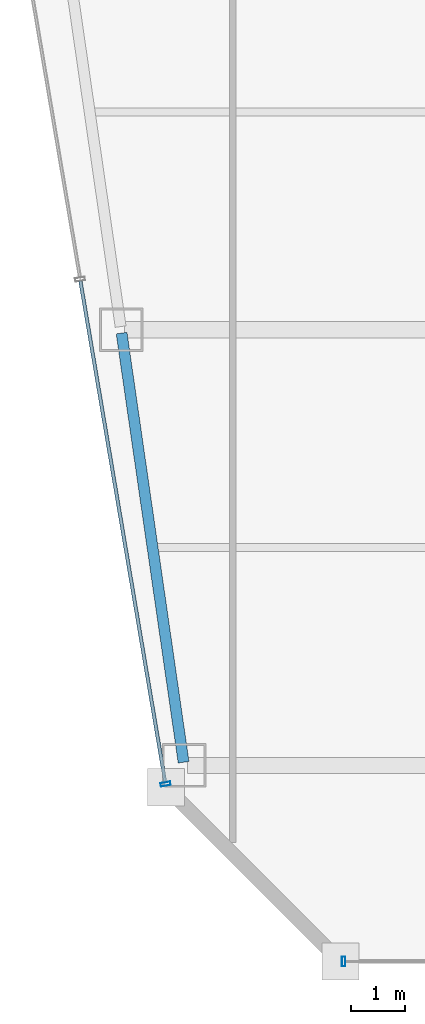
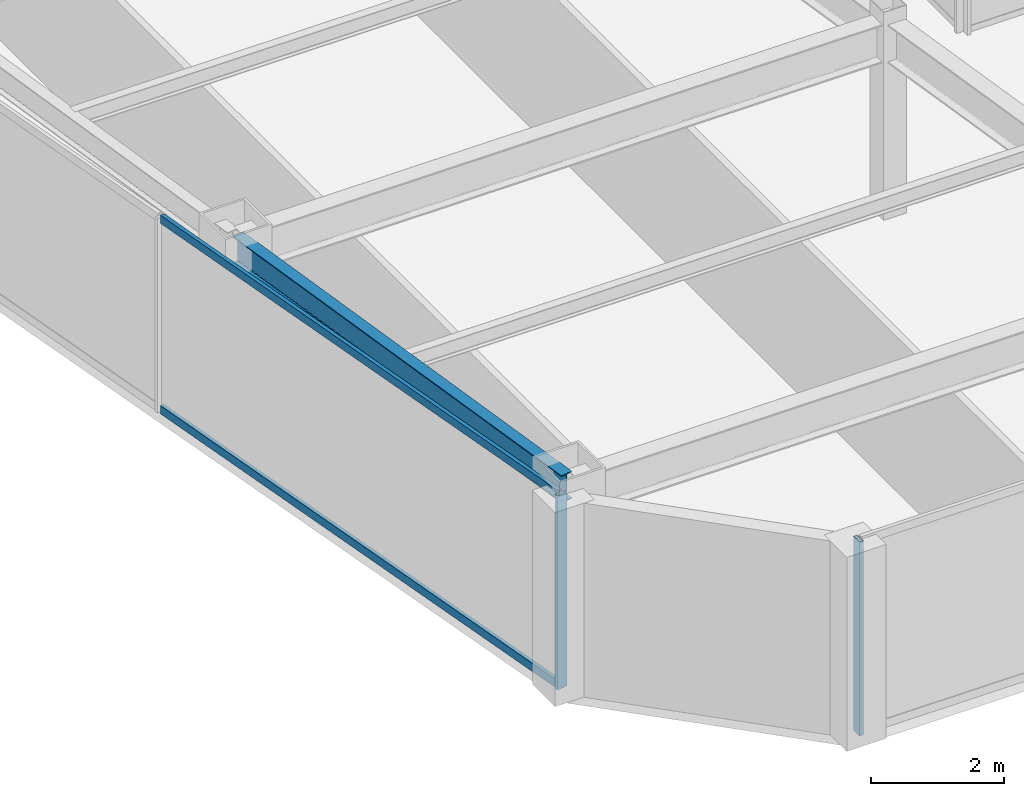
# One storey, part 3 of 36: 4 members, 1 beam, 2 elements without a shape of their own.
"""IFC4 building model written with IfcOpenShell, lengths in metres."""

from ifc_helpers import new_model, si_unit, direction, frame, origin, origin_2d, place, context, subcontext, project, spatial, hollow_rectangle, i_section, extrude, material, material_profile, profile_set, type_object, element, aggregate, save


model = new_model("IFC4")

# Units and contexts
model_context = context("Model", 3, precision=1e-05, world=origin(), true_north=direction((0.0, 1.0)))
body_context = subcontext(model_context, "Body", "Model", "MODEL_VIEW")
ifc_project = project(units=[si_unit("LENGTHUNIT", "METRE"), si_unit("AREAUNIT", "SQUARE_METRE"), si_unit("VOLUMEUNIT", "CUBIC_METRE"), si_unit("PLANEANGLEUNIT", "RADIAN"), si_unit("MASSUNIT", "GRAM", prefix="KILO")], contexts=[model_context])

# Site, building, storey
site_placement = place(None, origin())
site = spatial("IfcSite", under=ifc_project, at=site_placement, CompositionType="ELEMENT")
building_placement = place(site_placement, origin())
building = spatial("IfcBuilding", under=site, at=building_placement, Name="Saevonmaru Cultural Tower", CompositionType="ELEMENT")
storey_placement = place(building_placement, frame((0.0, 0.0, 209.39990234375)))
storey = spatial("IfcBuildingStorey", under=building, at=storey_placement, Name="L48", CompositionType="ELEMENT", Elevation=209.39990234375)

# Beam
ifc_material_1 = material(Name="Steel SM355", Category="steel")
ifc_material_profile_1 = material_profile(ifc_material_1, i_section(OverallWidth=0.199951171875, OverallDepth=0.5, WebThickness=0.010009765625, FlangeThickness=0.01611328125, FilletRadius=0.02001953125, at=origin_2d()), Name="H-500x200x10x16")
ifc_profile_set_1 = profile_set([ifc_material_profile_1], Name="Steel SM355")
beam_type = type_object("IfcBeamType", Name="BM-SP-H500", PredefinedType="SPANDREL", material=ifc_profile_set_1)
beam_placement = place(storey_placement, frame((10.619384765625, 16.059326171875, 3.300048828125), z_axis=(-0.142992129437, 0.989723825579, 0.0), x_axis=(-0.989723825579, -0.142992129437, 0.0)))
element("IfcBeam", 1, at=beam_placement, inside=storey, type_object=beam_type, Name="L48 West Splayed Spandrel 1", PredefinedType="SPANDREL", context=body_context, shape_type="SweptSolid", body=[
    extrude(i_section(OverallWidth=0.199951171875, OverallDepth=0.5, WebThickness=0.010009765625, FlangeThickness=0.01611328125, FilletRadius=0.02001953125, at=origin_2d()), origin(), (0.0, 0.0, 1.0), 7.963134765625),
])

# Curtain wall, member
ifc_material_2 = material(Name="Satin Bronze Anodised Aluminium", Category="aluminium")
curtain_wall_type = type_object("IfcCurtainWallType", Name="CW-TYP-B", PredefinedType="NOTDEFINED", material=ifc_material_2)
curtain_wall_1_placement = place(storey_placement, origin())
curtain_wall_1 = element("IfcCurtainWall", 2, at=curtain_wall_1_placement, inside=storey, type_object=curtain_wall_type, Name="L48 Unitised Curtain Wall E2", PredefinedType="NOTDEFINED")
ifc_material_profile_2 = material_profile(ifc_material_2, hollow_rectangle(XDim=0.06494140625, YDim=0.179931640625, WallThickness=0.00390625, at=origin_2d()), Name="ALU-MULL-180x65x4")
ifc_profile_set_2 = profile_set([ifc_material_profile_2], Name="Satin Bronze Anodised Aluminium")
member_type_1 = type_object("IfcMemberType", Name="ML-CW-180x65", PredefinedType="MULLION", material=ifc_profile_set_2)
member_1_placement = place(storey_placement, frame((13.557861328125, 12.39990234375, 0.0), z_axis=(0.0, 0.0, 1.0), x_axis=(1.0, 0.0, 0.0)))
member_1 = element("IfcMember", 3, at=member_1_placement, type_object=member_type_1, Name="CW-TW-L48-E2 mullion 1", PredefinedType="MULLION", context=body_context, shape_type="SweptSolid", body=[
    extrude(hollow_rectangle(XDim=0.06494140625, YDim=0.179931640625, WallThickness=0.00390625, at=origin_2d()), origin(), (0.0, 0.0, 1.0), 3.550048828125),
])
aggregate(curtain_wall_1, [member_1])

# Curtain wall, members
curtain_wall_2_placement = place(storey_placement, origin())
curtain_wall_2 = element("IfcCurtainWall", 4, at=curtain_wall_2_placement, inside=storey, type_object=curtain_wall_type, Name="L48 Unitised Curtain Wall E12", PredefinedType="NOTDEFINED")
member_2_placement = place(storey_placement, frame((10.287841796875, 15.6591796875, 0.0), z_axis=(0.0, 0.0, 1.0), x_axis=(0.16692169721, -0.985970155228, 0.0)))
member_2 = element("IfcMember", 5, at=member_2_placement, type_object=member_type_1, Name="CW-TW-L48-E12 mullion 5", PredefinedType="MULLION", context=body_context, shape_type="SweptSolid", body=[
    extrude(hollow_rectangle(XDim=0.06494140625, YDim=0.179931640625, WallThickness=0.00390625, at=origin_2d()), origin(), (0.0, 0.0, 1.0), 3.550048828125),
])
ifc_material_profile_3 = material_profile(ifc_material_2, hollow_rectangle(XDim=0.06494140625, YDim=0.14990234375, WallThickness=0.00390625, at=origin_2d()), Name="ALU-TRAN-150x65x4")
ifc_profile_set_3 = profile_set([ifc_material_profile_3], Name="Satin Bronze Anodised Aluminium")
member_type_2 = type_object("IfcMemberType", Name="TR-CW-150x65", PredefinedType="USERDEFINED", material=ifc_profile_set_3)
member_3_placement = place(storey_placement, frame((8.723876953125, 24.8974609375, 0.03271484375), z_axis=(0.166921263871, -0.985970228591, 0.0), x_axis=(0.985970228591, 0.166921263871, 0.0)))
member_3 = element("IfcMember", 6, at=member_3_placement, type_object=member_type_2, Name="CW-TW-L48-E12 transom 4.1", ObjectType="TRANSOM", PredefinedType="USERDEFINED", context=body_context, shape_type="SweptSolid", body=[
    extrude(hollow_rectangle(XDim=0.06494140625, YDim=0.14990234375, WallThickness=0.00390625, at=origin_2d()), origin(), (0.0, 0.0, 1.0), 9.33740234375),
])
member_4_placement = place(storey_placement, frame((8.723876953125, 24.8974609375, 3.517578125), z_axis=(0.166921263871, -0.985970228591, 0.0), x_axis=(0.985970228591, 0.166921263871, 0.0)))
member_4 = element("IfcMember", 7, at=member_4_placement, type_object=member_type_2, Name="CW-TW-L48-E12 transom 4.2", ObjectType="TRANSOM", PredefinedType="USERDEFINED", context=body_context, shape_type="SweptSolid", body=[
    extrude(hollow_rectangle(XDim=0.06494140625, YDim=0.14990234375, WallThickness=0.00390625, at=origin_2d()), origin(), (0.0, 0.0, 1.0), 9.33740234375),
])
aggregate(curtain_wall_2, [member_2, member_3, member_4])

save(model, "model.ifc")
